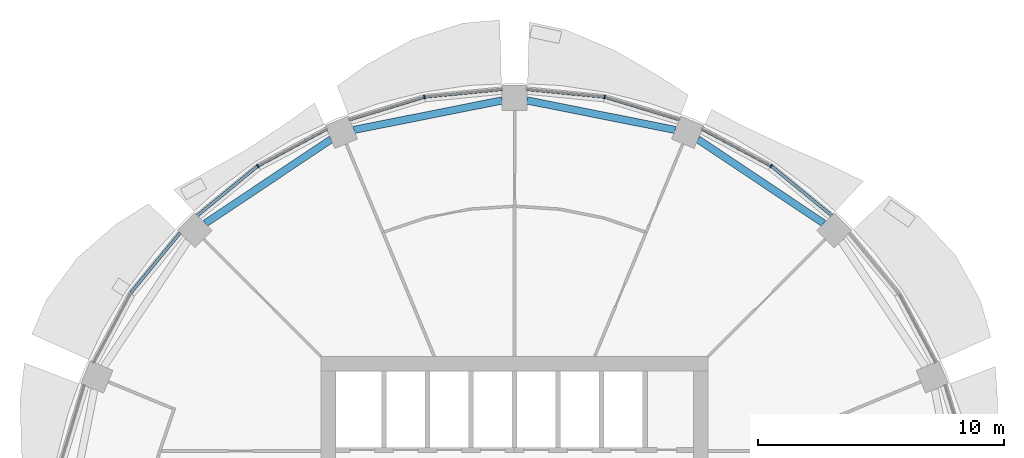
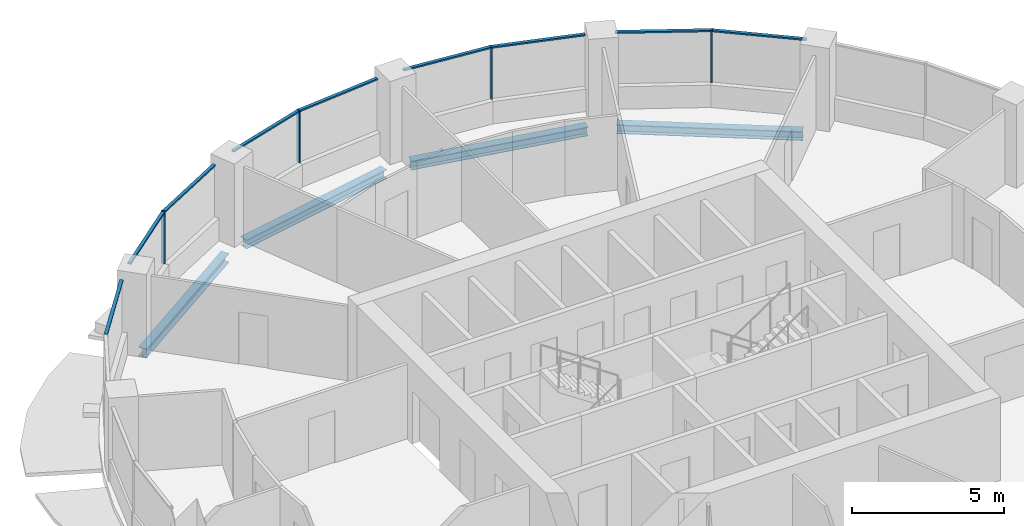
# One storey, part 6 of 15: 13 members, 4 beams, 5 elements without a shape of their own.
"""IFC4 building model written with IfcOpenShell, lengths in metres."""

from ifc_helpers import new_model, si_unit, direction, frame, origin, origin_2d, place, context, subcontext, project, spatial, rectangle, i_section, extrude, material, material_profile, profile_set, type_object, element, aggregate, save


model = new_model("IFC4")

# Units and contexts
model_context = context("Model", 3, precision=1e-05, world=origin(), true_north=direction((0.0, 1.0)))
body_context = subcontext(model_context, "Body", "Model", "MODEL_VIEW")
ifc_project = project(units=[si_unit("LENGTHUNIT", "METRE"), si_unit("AREAUNIT", "SQUARE_METRE"), si_unit("VOLUMEUNIT", "CUBIC_METRE"), si_unit("PLANEANGLEUNIT", "RADIAN"), si_unit("MASSUNIT", "GRAM", prefix="KILO")], contexts=[model_context])

# Site, building, storey
site_placement = place(None, origin())
site = spatial("IfcSite", under=ifc_project, at=site_placement, CompositionType="ELEMENT")
building_placement = place(site_placement, origin())
building = spatial("IfcBuilding", under=site, at=building_placement, Name="Polderwave Tower", CompositionType="ELEMENT")
storey_placement = place(building_placement, frame((0.0, 0.0, 131.0)))
storey = spatial("IfcBuildingStorey", under=building, at=storey_placement, Name="L34", CompositionType="ELEMENT", Elevation=131.0)

# Curtain wall, member
ifc_material_1 = material(Name="Aluminium 6063-T6 and glass", Category="aluminium")
curtain_wall_type = type_object("IfcCurtainWallType", Name="Office ribbon glazing wall", PredefinedType="NOTDEFINED", material=ifc_material_1)
curtain_wall_1_placement = place(storey_placement, origin())
curtain_wall_1 = element("IfcCurtainWall", 1, at=curtain_wall_1_placement, inside=storey, type_object=curtain_wall_type, Name="CW3 L34 02", PredefinedType="NOTDEFINED")
ifc_material_2 = material(Name="Aluminium 6063-T6", Category="aluminium")
ifc_material_profile_1 = material_profile(ifc_material_2, rectangle(XDim=0.139892578125, YDim=0.054931640625, at=origin_2d()), Name="AL 55x140")
ifc_profile_set_1 = profile_set([ifc_material_profile_1], Name="Aluminium 6063-T6")
member_type_1 = type_object("IfcMemberType", Name="Office ribbon glazing mullion 55x140", PredefinedType="MULLION", material=ifc_profile_set_1)
member_1_placement = place(storey_placement, frame((10.43408203125, 15.614990234375, 0.89990234375), z_axis=(0.0, 0.0, 1.0), x_axis=(-0.555657301267, -0.831411428565, 0.0)))
member_1 = element("IfcMember", 2, at=member_1_placement, type_object=member_type_1, Name="CW3 mullion 1", PredefinedType="MULLION", context=body_context, shape_type="SweptSolid", body=[
    extrude(rectangle(XDim=0.139892578125, YDim=0.054931640625, at=origin_2d()), origin(), (0.0, 0.0, 1.0), 2.10009765625),
])

curtain_wall_2_placement = place(storey_placement, origin())
curtain_wall_2 = element("IfcCurtainWall", 3, at=curtain_wall_2_placement, inside=storey, type_object=curtain_wall_type, Name="CW3 L34 03", PredefinedType="NOTDEFINED")
member_2_placement = place(storey_placement, frame((3.6640625, 18.4189453125, 0.89990234375), z_axis=(0.0, 0.0, 1.0), x_axis=(-0.195179334461, -0.980767570528, 0.0)))
member_2 = element("IfcMember", 4, at=member_2_placement, type_object=member_type_1, Name="CW3 mullion 1", PredefinedType="MULLION", context=body_context, shape_type="SweptSolid", body=[
    extrude(rectangle(XDim=0.139892578125, YDim=0.054931640625, at=origin_2d()), origin(), (0.0, 0.0, 1.0), 2.10009765625),
])

curtain_wall_3_placement = place(storey_placement, origin())
curtain_wall_3 = element("IfcCurtainWall", 5, at=curtain_wall_3_placement, inside=storey, type_object=curtain_wall_type, Name="CW3 L34 04", PredefinedType="NOTDEFINED")
member_3_placement = place(storey_placement, frame((-3.6640625, 18.4189453125, 0.89990234375), z_axis=(0.0, 0.0, 1.0), x_axis=(0.195179334461, -0.980767570528, 0.0)))
member_3 = element("IfcMember", 6, at=member_3_placement, type_object=member_type_1, Name="CW3 mullion 1", PredefinedType="MULLION", context=body_context, shape_type="SweptSolid", body=[
    extrude(rectangle(XDim=0.139892578125, YDim=0.054931640625, at=origin_2d()), origin(), (0.0, 0.0, 1.0), 2.10009765625),
])

curtain_wall_4_placement = place(storey_placement, origin())
curtain_wall_4 = element("IfcCurtainWall", 7, at=curtain_wall_4_placement, inside=storey, type_object=curtain_wall_type, Name="CW3 L34 05", PredefinedType="NOTDEFINED")
member_4_placement = place(storey_placement, frame((-10.43408203125, 15.614990234375, 0.89990234375), z_axis=(0.0, 0.0, 1.0), x_axis=(0.555657301267, -0.831411428565, 0.0)))
member_4 = element("IfcMember", 8, at=member_4_placement, type_object=member_type_1, Name="CW3 mullion 1", PredefinedType="MULLION", context=body_context, shape_type="SweptSolid", body=[
    extrude(rectangle(XDim=0.139892578125, YDim=0.054931640625, at=origin_2d()), origin(), (0.0, 0.0, 1.0), 2.10009765625),
])

# Member
ifc_material_profile_2 = material_profile(ifc_material_2, rectangle(XDim=0.1201171875, YDim=0.06005859375, at=origin_2d()), Name="AL 60x120")
ifc_profile_set_2 = profile_set([ifc_material_profile_2], Name="Aluminium 6063-T6")
member_type_2 = type_object("IfcMemberType", Name="Office ribbon glazing transom 60x120", PredefinedType="USERDEFINED", material=ifc_profile_set_2)
member_5_placement = place(storey_placement, frame((12.89111328125, 13.597900390625, 2.969970703125), z_axis=(-0.772893139863, 0.634536204131, 0.0), x_axis=(-0.634536204131, -0.772893139863, 0.0)))
member_5 = element("IfcMember", 9, at=member_5_placement, type_object=member_type_2, Name="CW3 transom 1", ObjectType="TRANSOM", PredefinedType="USERDEFINED", context=body_context, shape_type="SweptSolid", body=[
    extrude(rectangle(XDim=0.1201171875, YDim=0.06005859375, at=origin_2d()), origin(), (0.0, 0.0, 1.0), 3.151611328125),
])

member_6_placement = place(storey_placement, frame((10.40966796875, 15.6279296875, 2.969970703125), z_axis=(-0.88188725203, 0.471460363877, 0.0), x_axis=(-0.471460363877, -0.88188725203, 0.0)))
member_6 = element("IfcMember", 10, at=member_6_placement, type_object=member_type_2, Name="CW3 transom 2", ObjectType="TRANSOM", PredefinedType="USERDEFINED", context=body_context, shape_type="SweptSolid", body=[
    extrude(rectangle(XDim=0.1201171875, YDim=0.06005859375, at=origin_2d()), origin(), (0.0, 0.0, 1.0), 3.152099609375),
])

aggregate(curtain_wall_1, [member_1, member_5, member_6])

member_7_placement = place(storey_placement, frame((6.7060546875, 17.49609375, 2.969970703125), z_axis=(-0.956945534215, 0.290267539602, 0.0), x_axis=(-0.290267539602, -0.956945534215, 0.0)))
member_7 = element("IfcMember", 11, at=member_7_placement, type_object=member_type_2, Name="CW3 transom 1", ObjectType="TRANSOM", PredefinedType="USERDEFINED", context=body_context, shape_type="SweptSolid", body=[
    extrude(rectangle(XDim=0.1201171875, YDim=0.06005859375, at=origin_2d()), origin(), (0.0, 0.0, 1.0), 3.151611328125),
])

member_8_placement = place(storey_placement, frame((3.63671875, 18.421630859375, 2.969970703125), z_axis=(-0.995172762919, 0.09813853445, 0.0), x_axis=(-0.09813853445, -0.995172762919, 0.0)))
member_8 = element("IfcMember", 12, at=member_8_placement, type_object=member_type_2, Name="CW3 transom 2", ObjectType="TRANSOM", PredefinedType="USERDEFINED", context=body_context, shape_type="SweptSolid", body=[
    extrude(rectangle(XDim=0.1201171875, YDim=0.06005859375, at=origin_2d()), origin(), (0.0, 0.0, 1.0), 3.15185546875),
])

aggregate(curtain_wall_2, [member_2, member_7, member_8])

member_9_placement = place(storey_placement, frame((-0.5, 18.73095703125, 2.969970703125), z_axis=(-0.995172762919, -0.09813853445, 0.0), x_axis=(0.09813853445, -0.995172762919, 0.0)))
member_9 = element("IfcMember", 13, at=member_9_placement, type_object=member_type_2, Name="CW3 transom 1", ObjectType="TRANSOM", PredefinedType="USERDEFINED", context=body_context, shape_type="SweptSolid", body=[
    extrude(rectangle(XDim=0.1201171875, YDim=0.06005859375, at=origin_2d()), origin(), (0.0, 0.0, 1.0), 3.15185546875),
])

member_10_placement = place(storey_placement, frame((-3.690185546875, 18.410888671875, 2.969970703125), z_axis=(-0.956945534215, -0.290267539602, 0.0), x_axis=(0.290267539602, -0.956945534215, 0.0)))
member_10 = element("IfcMember", 14, at=member_10_placement, type_object=member_type_2, Name="CW3 transom 2", ObjectType="TRANSOM", PredefinedType="USERDEFINED", context=body_context, shape_type="SweptSolid", body=[
    extrude(rectangle(XDim=0.1201171875, YDim=0.06005859375, at=origin_2d()), origin(), (0.0, 0.0, 1.0), 3.151611328125),
])

aggregate(curtain_wall_3, [member_3, member_9, member_10])

member_11_placement = place(storey_placement, frame((-7.6298828125, 17.114013671875, 2.969970703125), z_axis=(-0.88188725203, -0.471460363877, 0.0), x_axis=(0.471460363877, -0.88188725203, 0.0)))
member_11 = element("IfcMember", 15, at=member_11_placement, type_object=member_type_2, Name="CW3 transom 1", ObjectType="TRANSOM", PredefinedType="USERDEFINED", context=body_context, shape_type="SweptSolid", body=[
    extrude(rectangle(XDim=0.1201171875, YDim=0.06005859375, at=origin_2d()), origin(), (0.0, 0.0, 1.0), 3.152099609375),
])

member_12_placement = place(storey_placement, frame((-10.455322265625, 15.59765625, 2.969970703125), z_axis=(-0.772893139863, -0.634536204131, 0.0), x_axis=(0.634536204131, -0.772893139863, 0.0)))
member_12 = element("IfcMember", 16, at=member_12_placement, type_object=member_type_2, Name="CW3 transom 2", ObjectType="TRANSOM", PredefinedType="USERDEFINED", context=body_context, shape_type="SweptSolid", body=[
    extrude(rectangle(XDim=0.1201171875, YDim=0.06005859375, at=origin_2d()), origin(), (0.0, 0.0, 1.0), 3.151611328125),
])

aggregate(curtain_wall_4, [member_4, member_11, member_12])

# Curtain wall, member
curtain_wall_5_placement = place(storey_placement, origin())
curtain_wall_5 = element("IfcCurtainWall", 17, at=curtain_wall_5_placement, inside=storey, type_object=curtain_wall_type, Name="CW3 L34 06", PredefinedType="NOTDEFINED")
member_13_placement = place(storey_placement, frame((-13.597900390625, 12.89111328125, 2.969970703125), z_axis=(-0.634536204131, -0.772893139863, 0.0), x_axis=(0.772893139863, -0.634536204131, 0.0)))
member_13 = element("IfcMember", 18, at=member_13_placement, type_object=member_type_2, Name="CW3 transom 1", ObjectType="TRANSOM", PredefinedType="USERDEFINED", context=body_context, shape_type="SweptSolid", body=[
    extrude(rectangle(XDim=0.1201171875, YDim=0.06005859375, at=origin_2d()), origin(), (0.0, 0.0, 1.0), 3.151611328125),
])
aggregate(curtain_wall_5, [member_13])

# Beams
ifc_material_3 = material(Name="Steel S355", Category="steel")
ifc_material_profile_3 = material_profile(ifc_material_3, i_section(OverallWidth=0.300048828125, OverallDepth=0.360107421875, WebThickness=0.012451171875, FlangeThickness=0.0224609375, at=origin_2d()), Name="HE 360 B")
ifc_profile_set_3 = profile_set([ifc_material_profile_3], Name="Steel S355")
beam_type = type_object("IfcBeamType", Name="RING BEAM HE 360 B", PredefinedType="BEAM", material=ifc_profile_set_3)
beam_1_placement = place(storey_placement, frame((12.57275390625, 13.27978515625, -0.530029296875), z_axis=(-0.831463724506, 0.555579044629, 0.0), x_axis=(-0.555579044629, -0.831463724506, 0.0)))
element("IfcBeam", 19, at=beam_1_placement, inside=storey, type_object=beam_type, Name="ST-RB-L34-02", PredefinedType="BEAM", context=body_context, shape_type="SweptSolid", body=[
    extrude(i_section(OverallWidth=0.300048828125, OverallDepth=0.360107421875, WebThickness=0.012451171875, FlangeThickness=0.0224609375, at=origin_2d()), origin(), (0.0, 0.0, 1.0), 6.152099609375),
])
for number, where, z_axis, x_axis, name in (
    (20, (6.53369140625, 17.080322265625, -0.530029296875), (-0.9807846748, 0.195093366566, 0.0), (-0.195093366566, -0.9807846748, 0.0), "ST-RB-L34-03"),
    (21, (-0.5, 18.280517578125, -0.530029296875), (-0.9807846748, -0.195093366566, 0.0), (0.195093366566, -0.9807846748, 0.0), "ST-RB-L34-04"),
):
    element("IfcBeam", number, at=place(storey_placement, frame(where, z_axis=z_axis, x_axis=x_axis)), inside=storey, type_object=beam_type, Name=name, PredefinedType="BEAM", context=body_context, shape_type="SweptSolid", body=[
        extrude(i_section(OverallWidth=0.300048828125, OverallDepth=0.360107421875, WebThickness=0.012451171875, FlangeThickness=0.0224609375, at=origin_2d()), origin(), (0.0, 0.0, 1.0), 6.15185546875),
    ])
beam_2_placement = place(storey_placement, frame((-7.45751953125, 16.69775390625, -0.530029296875), z_axis=(-0.831463724506, -0.555579044629, 0.0), x_axis=(0.555579044629, -0.831463724506, 0.0)))
element("IfcBeam", 22, at=beam_2_placement, inside=storey, type_object=beam_type, Name="ST-RB-L34-05", PredefinedType="BEAM", context=body_context, shape_type="SweptSolid", body=[
    extrude(i_section(OverallWidth=0.300048828125, OverallDepth=0.360107421875, WebThickness=0.012451171875, FlangeThickness=0.0224609375, at=origin_2d()), origin(), (0.0, 0.0, 1.0), 6.152099609375),
])

save(model, "model.ifc")
